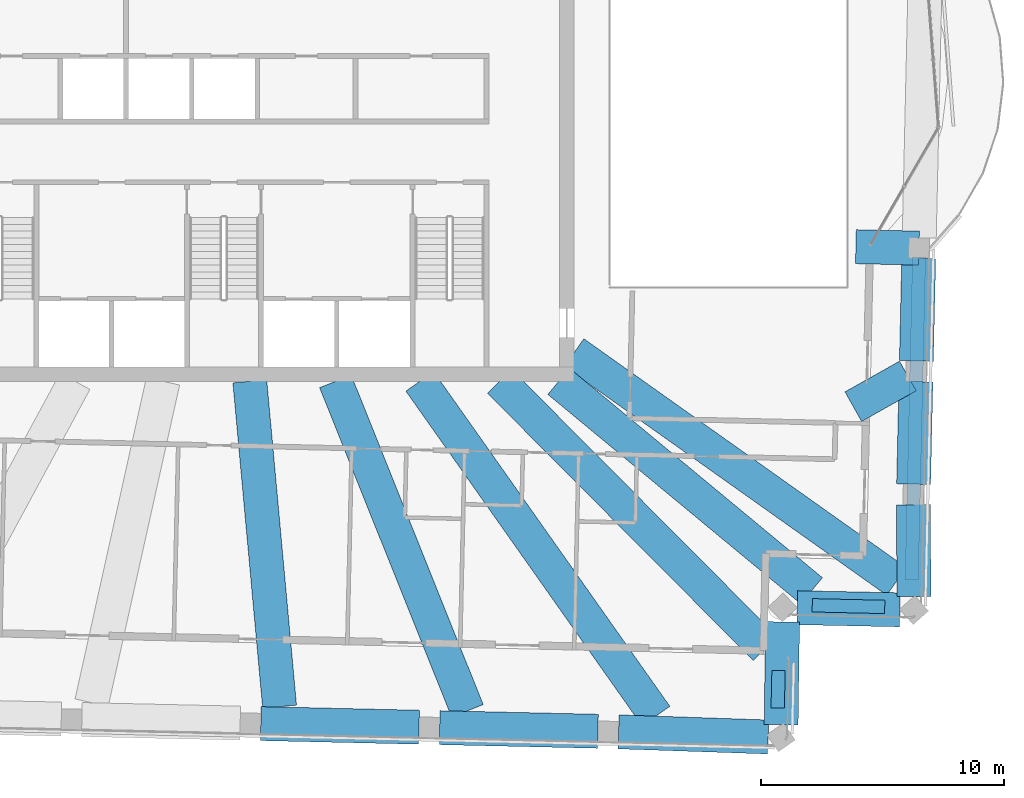
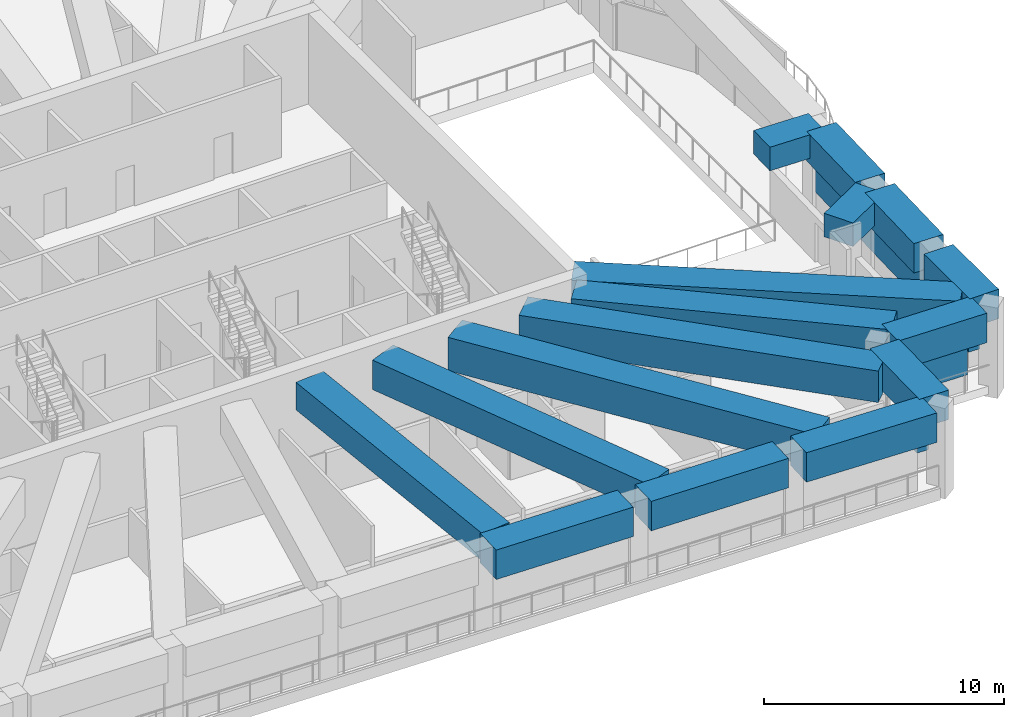
# One storey, part 3 of 21: 16 beams, 3 members.
"""IFC4 building model written with IfcOpenShell, lengths in metres."""

from ifc_helpers import new_model, si_unit, direction, frame, origin, origin_2d, place, context, subcontext, project, spatial, rectangle, extrude, material, material_profile, profile_set, type_object, element, save


model = new_model("IFC4")

# Units and contexts
model_context = context("Model", 3, precision=1e-05, world=origin(), true_north=direction((0.0, 1.0)))
body_context = subcontext(model_context, "Body", "Model", "MODEL_VIEW")
ifc_project = project(units=[si_unit("LENGTHUNIT", "METRE"), si_unit("AREAUNIT", "SQUARE_METRE"), si_unit("VOLUMEUNIT", "CUBIC_METRE"), si_unit("PLANEANGLEUNIT", "RADIAN"), si_unit("MASSUNIT", "GRAM", prefix="KILO")], contexts=[model_context])

# Site, building, storey
site_placement = place(None, origin())
site = spatial("IfcSite", under=ifc_project, at=site_placement, CompositionType="ELEMENT")
building_placement = place(site_placement, origin())
building = spatial("IfcBuilding", under=site, at=building_placement, Name="Mangrove Gate Tower", CompositionType="ELEMENT")
storey_placement = place(building_placement, frame((0.0, 0.0, 329.699951171875)))
storey = spatial("IfcBuildingStorey", under=building, at=storey_placement, Name="L84", CompositionType="ELEMENT", Elevation=329.699951171875)

# Members
ifc_material_1 = material(Name="Planting on aluminium trellis", Category="aluminium")
ifc_material_profile_1 = material_profile(ifc_material_1, rectangle(XDim=0.550048828125, YDim=1.800048828125, at=origin_2d()))
ifc_profile_set_1 = profile_set([ifc_material_profile_1], Name="Planting on aluminium trellis")
member_type = type_object("IfcMemberType", Name="Roof greenery screen 550x1800", PredefinedType="USERDEFINED", material=ifc_profile_set_1)
member_1_placement = place(storey_placement, frame((28.613037109375, -6.27490234375, 1.699951171875), z_axis=(-0.022685579062, -0.999742649137, 0.0), x_axis=(0.999742649137, -0.022685579062, 0.0)))
element("IfcMember", 1, at=member_1_placement, inside=storey, type_object=member_type, Name="GREEN SCREEN L84 T1.5.33", ObjectType="PLANTING", PredefinedType="USERDEFINED", context=body_context, shape_type="SweptSolid", body=[
    extrude(rectangle(XDim=0.550048828125, YDim=1.800048828125, at=origin_2d()), origin(), (0.0, 0.0, 1.0), 13.3125),
])
member_2_placement = place(storey_placement, frame((27.199951171875, -20.694091796875, 1.699951171875), z_axis=(-0.999739890613, 0.022806821707, 0.0), x_axis=(-0.022806821707, -0.999739890613, 0.0)))
element("IfcMember", 2, at=member_2_placement, inside=storey, type_object=member_type, Name="GREEN SCREEN L84 T1.6.6", ObjectType="PLANTING", PredefinedType="USERDEFINED", context=body_context, shape_type="SweptSolid", body=[
    extrude(rectangle(XDim=0.550048828125, YDim=1.800048828125, at=origin_2d()), origin(), (0.0, 0.0, 1.0), 2.986572265625),
])
member_3_placement = place(storey_placement, frame((22.824951171875, -23.31005859375, 1.699951171875), z_axis=(-0.022517521205, -0.999746448475, 0.0), x_axis=(0.999746448475, -0.022517521205, 0.0)))
element("IfcMember", 3, at=member_3_placement, inside=storey, type_object=member_type, Name="GREEN SCREEN L84 T1.7.6", ObjectType="PLANTING", PredefinedType="USERDEFINED", context=body_context, shape_type="SweptSolid", body=[
    extrude(rectangle(XDim=0.550048828125, YDim=1.800048828125, at=origin_2d()), origin(), (0.0, 0.0, 1.0), 1.550537109375),
])

# Beams
ifc_material_2 = material(Name="Concrete C50/60", Category="concrete")
ifc_material_profile_2 = material_profile(ifc_material_2, rectangle(XDim=1.39990234375, YDim=1.199951171875, at=origin_2d()))
ifc_profile_set_2 = profile_set([ifc_material_profile_2], Name="Concrete C50/60")
beam_type_1 = type_object("IfcBeamType", Name="Transfer girder RC 1400x1200 C50/60", PredefinedType="BEAM", material=ifc_profile_set_2)
beam_1_placement = place(storey_placement, frame((28.152587890625, -11.179443359375, 3.449951171875), z_axis=(-0.871676644553, -0.490081449701, 0.0), x_axis=(0.490081449701, -0.871676644553, 0.0)))
element("IfcBeam", 4, at=beam_1_placement, inside=storey, type_object=beam_type_1, Name="Transfer edge girder L84 14", PredefinedType="BEAM", context=body_context, shape_type="SweptSolid", body=[
    extrude(rectangle(XDim=1.39990234375, YDim=1.199951171875, at=origin_2d()), origin(), (0.0, 0.0, 1.0), 2.5791015625),
])
beam_2_placement = place(storey_placement, frame((28.611083984375, -5.912353515625, 3.449951171875), z_axis=(-0.999743819631, 0.02263393711, 0.0), x_axis=(-0.02263393711, -0.999743819631, 0.0)))
element("IfcBeam", 5, at=beam_2_placement, inside=storey, type_object=beam_type_1, Name="Transfer edge girder L84 15", PredefinedType="BEAM", context=body_context, shape_type="SweptSolid", body=[
    extrude(rectangle(XDim=1.39990234375, YDim=1.199951171875, at=origin_2d()), origin(), (0.0, 0.0, 1.0), 2.599609375),
])
ifc_material_3 = material(Name="Concrete C50/60", Category="concrete")
ifc_material_profile_3 = material_profile(ifc_material_3, rectangle(XDim=1.39990234375, YDim=1.39990234375, at=origin_2d()))
ifc_profile_set_3 = profile_set([ifc_material_profile_3], Name="Concrete C50/60")
beam_type_2 = type_object("IfcBeamType", Name="Transfer girder RC 1400x1400 C50/60", PredefinedType="BEAM", material=ifc_profile_set_3)
beam_3_placement = place(storey_placement, frame((1.043212890625, -11.39990234375, 3.35009765625), z_axis=(0.091144099848, -0.99583771422, 0.0), x_axis=(0.99583771422, 0.091144099848, 0.0)))
element("IfcBeam", 6, at=beam_3_placement, inside=storey, type_object=beam_type_2, Name="Transfer girder L84 08", PredefinedType="BEAM", context=body_context, shape_type="SweptSolid", body=[
    extrude(rectangle(XDim=1.39990234375, YDim=1.39990234375, at=origin_2d()), origin(), (0.0, 0.0, 1.0), 13.4599609375),
])
beam_4_placement = place(storey_placement, frame((13.766845703125, -11.39990234375, 3.35009765625), z_axis=(0.770217045248, -0.637781861775, 0.0), x_axis=(0.637781861775, 0.770217045248, 0.0)))
element("IfcBeam", 7, at=beam_4_placement, inside=storey, type_object=beam_type_2, Name="Transfer girder L84 12", PredefinedType="BEAM", context=body_context, shape_type="SweptSolid", body=[
    extrude(rectangle(XDim=1.39990234375, YDim=1.39990234375, at=origin_2d()), origin(), (0.0, 0.0, 1.0), 13.531005859375),
])
ifc_material_4 = material(Name="Concrete C50/60", Category="concrete")
ifc_material_profile_4 = material_profile(ifc_material_4, rectangle(XDim=1.39990234375, YDim=1.5, at=origin_2d()))
ifc_profile_set_4 = profile_set([ifc_material_profile_4], Name="Concrete C50/60")
beam_type_3 = type_object("IfcBeamType", Name="Transfer girder RC 1400x1500 C50/60", PredefinedType="BEAM", material=ifc_profile_set_4)
beam_5_placement = place(storey_placement, frame((1.49560546875, -25.501708984375, 3.300048828125), z_axis=(0.999740015405, -0.022801350812, 0.0), x_axis=(0.022801350812, 0.999740015405, 0.0)))
element("IfcBeam", 8, at=beam_5_placement, inside=storey, type_object=beam_type_3, Name="Transfer ring girder L84 09", PredefinedType="BEAM", context=body_context, shape_type="SweptSolid", body=[
    extrude(rectangle(XDim=1.39990234375, YDim=1.5, at=origin_2d()), origin(), (0.0, 0.0, 1.0), 6.520751953125),
])
beam_6_placement = place(storey_placement, frame((8.864501953125, -25.669677734375, 3.300048828125), z_axis=(0.999743514138, -0.022647426744, 0.0), x_axis=(0.022647426744, 0.999743514138, 0.0)))
element("IfcBeam", 9, at=beam_6_placement, inside=storey, type_object=beam_type_3, Name="Transfer ring girder L84 10", PredefinedType="BEAM", context=body_context, shape_type="SweptSolid", body=[
    extrude(rectangle(XDim=1.39990234375, YDim=1.5, at=origin_2d()), origin(), (0.0, 0.0, 1.0), 6.52197265625),
])
beam_7_placement = place(storey_placement, frame((16.234375, -25.841552734375, 3.300048828125), z_axis=(0.999414481701, -0.034215402472, 0.0), x_axis=(0.034215402472, 0.999414481701, 0.0)))
element("IfcBeam", 10, at=beam_7_placement, inside=storey, type_object=beam_type_3, Name="Transfer ring girder L84 11", PredefinedType="BEAM", context=body_context, shape_type="SweptSolid", body=[
    extrude(rectangle(XDim=1.39990234375, YDim=1.5, at=origin_2d()), origin(), (0.0, 0.0, 1.0), 6.1650390625),
])
beam_8_placement = place(storey_placement, frame((22.93359375, -25.54736328125, 3.300048828125), z_axis=(0.013421223227, 0.999909931327, 0.0), x_axis=(-0.999909931327, 0.013421223227, 0.0)))
element("IfcBeam", 11, at=beam_8_placement, inside=storey, type_object=beam_type_3, Name="Transfer ring girder L84 12", PredefinedType="BEAM", context=body_context, shape_type="SweptSolid", body=[
    extrude(rectangle(XDim=1.39990234375, YDim=1.5, at=origin_2d()), origin(), (0.0, 0.0, 1.0), 4.238525390625),
])
beam_9_placement = place(storey_placement, frame((23.59814453125, -20.726318359375, 3.300048828125), z_axis=(0.999781475511, -0.020904574258, 0.0), x_axis=(0.020904574258, 0.999781475511, 0.0)))
element("IfcBeam", 12, at=beam_9_placement, inside=storey, type_object=beam_type_3, Name="Transfer ring girder L84 13", PredefinedType="BEAM", context=body_context, shape_type="SweptSolid", body=[
    extrude(rectangle(XDim=1.39990234375, YDim=1.5, at=origin_2d()), origin(), (0.0, 0.0, 1.0), 4.227783203125),
])
beam_10_placement = place(storey_placement, frame((28.404052734375, -20.25830078125, 3.300048828125), z_axis=(-0.005499043463, 0.999984880146, 0.0), x_axis=(-0.999984880146, -0.005499043463, 0.0)))
element("IfcBeam", 13, at=beam_10_placement, inside=storey, type_object=beam_type_3, Name="Transfer ring girder L84 14", PredefinedType="BEAM", context=body_context, shape_type="SweptSolid", body=[
    extrude(rectangle(XDim=1.39990234375, YDim=1.5, at=origin_2d()), origin(), (0.0, 0.0, 1.0), 3.773681640625),
])
beam_11_placement = place(storey_placement, frame((28.390625, -15.634521484375, 3.300048828125), z_axis=(0.022713528253, 0.999742014539, 0.0), x_axis=(-0.999742014539, 0.022713528253, 0.0)))
element("IfcBeam", 14, at=beam_11_placement, inside=storey, type_object=beam_type_3, Name="Transfer ring girder L84 15", PredefinedType="BEAM", context=body_context, shape_type="SweptSolid", body=[
    extrude(rectangle(XDim=1.39990234375, YDim=1.5, at=origin_2d()), origin(), (0.0, 0.0, 1.0), 4.22412109375),
])
beam_12_placement = place(storey_placement, frame((28.505859375, -10.5615234375, 3.300048828125), z_axis=(0.022649219304, 0.99974347353, 0.0), x_axis=(-0.99974347353, 0.022649219304, 0.0)))
element("IfcBeam", 15, at=beam_12_placement, inside=storey, type_object=beam_type_3, Name="Transfer ring girder L84 16", PredefinedType="BEAM", context=body_context, shape_type="SweptSolid", body=[
    extrude(rectangle(XDim=1.39990234375, YDim=1.5, at=origin_2d()), origin(), (0.0, 0.0, 1.0), 4.225341796875),
])
beam_13_placement = place(storey_placement, frame((4.568115234375, -11.39990234375, 3.300048828125), z_axis=(0.371968997514, -0.928245153442, 0.0), x_axis=(0.928245153442, 0.371968997514, 0.0)))
element("IfcBeam", 16, at=beam_13_placement, inside=storey, type_object=beam_type_3, Name="Transfer girder L84 09", PredefinedType="BEAM", context=body_context, shape_type="SweptSolid", body=[
    extrude(rectangle(XDim=1.39990234375, YDim=1.5, at=origin_2d()), origin(), (0.0, 0.0, 1.0), 14.6279296875),
])
ifc_material_5 = material(Name="Concrete C50/60", Category="concrete")
ifc_material_profile_5 = material_profile(ifc_material_5, rectangle(XDim=1.39990234375, YDim=1.60009765625, at=origin_2d()))
ifc_profile_set_5 = profile_set([ifc_material_profile_5], Name="Concrete C50/60")
beam_type_4 = type_object("IfcBeamType", Name="Transfer girder RC 1400x1600 C50/60", PredefinedType="BEAM", material=ifc_profile_set_5)
beam_14_placement = place(storey_placement, frame((11.332763671875, -11.39990234375, 3.25), z_axis=(0.705011663744, -0.709195709226, 0.0), x_axis=(0.709195709226, 0.705011663744, 0.0)))
element("IfcBeam", 17, at=beam_14_placement, inside=storey, type_object=beam_type_4, Name="Transfer girder L84 11", PredefinedType="BEAM", context=body_context, shape_type="SweptSolid", body=[
    extrude(rectangle(XDim=1.39990234375, YDim=1.60009765625, at=origin_2d()), origin(), (0.0, 0.0, 1.0), 15.521240234375),
])
ifc_material_6 = material(Name="Concrete C50/60", Category="concrete")
ifc_material_profile_6 = material_profile(ifc_material_6, rectangle(XDim=1.39990234375, YDim=1.699951171875, at=origin_2d()))
ifc_profile_set_6 = profile_set([ifc_material_profile_6], Name="Concrete C50/60")
beam_type_5 = type_object("IfcBeamType", Name="Transfer girder RC 1400x1700 C50/60", PredefinedType="BEAM", material=ifc_profile_set_6)
beam_15_placement = place(storey_placement, frame((8.0439453125, -11.39990234375, 3.199951171875), z_axis=(0.576540098448, -0.817068855655, 0.0), x_axis=(0.817068855655, 0.576540098448, 0.0)))
element("IfcBeam", 18, at=beam_15_placement, inside=storey, type_object=beam_type_5, Name="Transfer girder L84 10", PredefinedType="BEAM", context=body_context, shape_type="SweptSolid", body=[
    extrude(rectangle(XDim=1.39990234375, YDim=1.699951171875, at=origin_2d()), origin(), (0.0, 0.0, 1.0), 16.880615234375),
])
beam_16_placement = place(storey_placement, frame((14.39990234375, -10.21630859375, 3.199951171875), z_axis=(0.815586544565, -0.578635108099, 0.0), x_axis=(0.578635108099, 0.815586544565, 0.0)))
element("IfcBeam", 19, at=beam_16_placement, inside=storey, type_object=beam_type_5, Name="Transfer girder L84 13", PredefinedType="BEAM", context=body_context, shape_type="SweptSolid", body=[
    extrude(rectangle(XDim=1.39990234375, YDim=1.699951171875, at=origin_2d()), origin(), (0.0, 0.0, 1.0), 16.289794921875),
])

save(model, "model.ifc")
